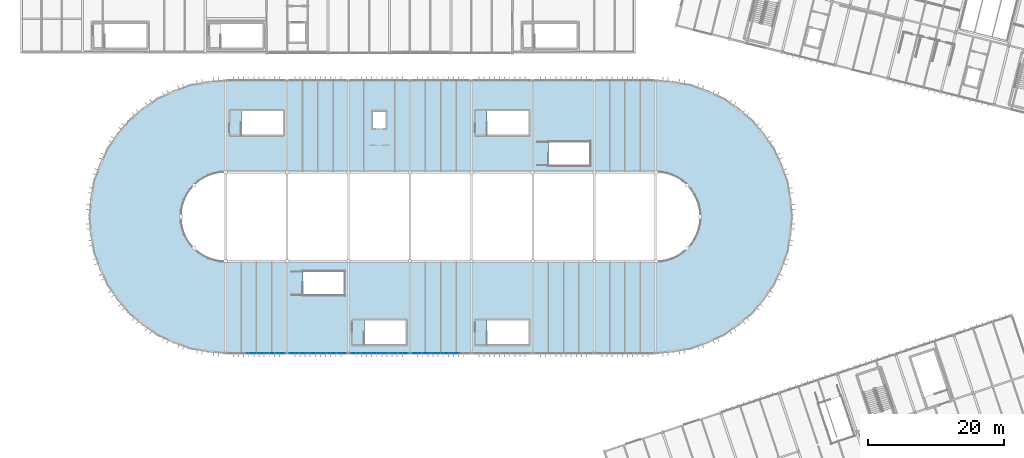
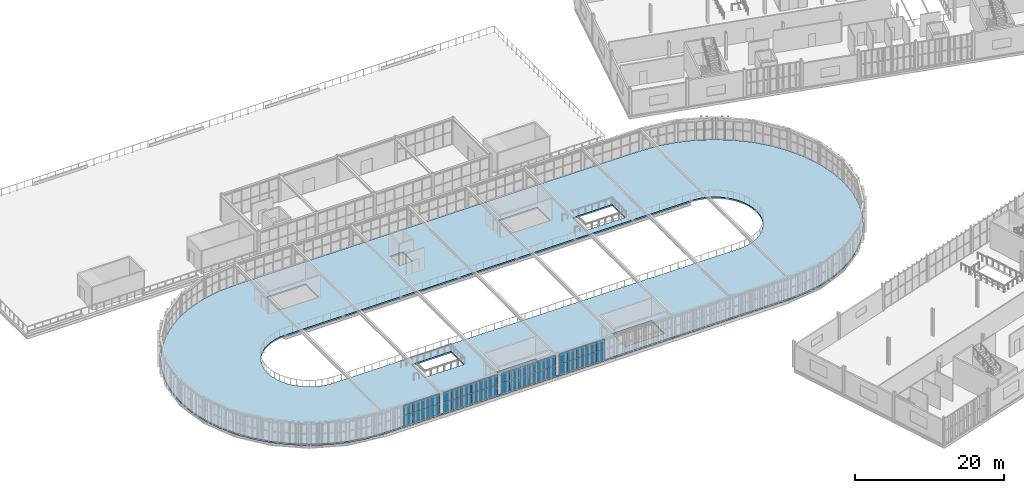
# One storey, part 105 of 152: 42 plates, 1 slab, 4 elements without a shape of their own.
"""IFC4 building model written with IfcOpenShell, lengths in metres."""

from ifc_helpers import new_model, si_unit, derived_unit, direction, frame, origin, origin_2d, place, context, subcontext, project, spatial, polyline, rectangle, outline, extrude, material, layer, layer_set, type_object, element, aggregate, save


model = new_model("IFC4")

# Units and contexts
model_context = context("Model", 3, precision=1e-05, world=origin(), true_north=direction((0.0, 1.0)))
body_context = subcontext(model_context, "Body", "Model", "MODEL_VIEW")
ifc_project = project(units=[si_unit("LENGTHUNIT", "METRE"), si_unit("AREAUNIT", "SQUARE_METRE"), si_unit("VOLUMEUNIT", "CUBIC_METRE"), si_unit("PLANEANGLEUNIT", "RADIAN"), si_unit("MASSUNIT", "GRAM", prefix="KILO"), si_unit("THERMODYNAMICTEMPERATUREUNIT", "KELVIN"), si_unit("TIMEUNIT", "SECOND"), derived_unit("THERMALTRANSMITTANCEUNIT", [(si_unit("MASSUNIT", "GRAM", prefix="KILO"), 1), (si_unit("THERMODYNAMICTEMPERATUREUNIT", "KELVIN"), -1), (si_unit("TIMEUNIT", "SECOND"), -3)])], contexts=[model_context])

# Site, building, storey
site_placement = place(None, origin())
site = spatial("IfcSite", under=ifc_project, at=site_placement, CompositionType="ELEMENT")
building_placement = place(site_placement, origin())
building = spatial("IfcBuilding", under=site, at=building_placement, Name="Cambertide Market Hall", CompositionType="ELEMENT")
storey_placement = place(building_placement, frame((0.0, 0.0, 5.39990234375)))
storey = spatial("IfcBuildingStorey", under=building, at=storey_placement, Name="L02", CompositionType="ELEMENT", Elevation=5.39990234375)

# Slab
ifc_material_1 = material(Name="Concrete B30", Category="concrete")
ifc_layer_1 = layer(ifc_material_1, 0.239990234375, Name="Lantern Hall Mezzanine Composite Slab 240")
ifc_layer_set_1 = layer_set([ifc_layer_1], Name="Concrete B30")
slab_type = type_object("IfcSlabType", Name="Lantern Hall Mezzanine Composite Slab 240", PredefinedType="FLOOR", material=ifc_layer_set_1)
slab_placement = place(storey_placement, frame((0.0, 0.0, -0.239990234375)))
element("IfcSlab", 1, at=slab_placement, inside=storey, type_object=slab_type, Name="Level 2 Slab SLB-L02-V1M", PredefinedType="FLOOR", context=body_context, shape_type="SweptSolid", body=[
    extrude(outline(polyline([(42.0, 92.0), (39.389404296875, 91.828857421875), (36.82373046875, 91.318603515625), (34.346435546875, 90.4775390625), (32.0, 89.320556640625), (29.82470703125, 87.8671875), (27.85791015625, 86.14208984375), (26.1328125, 84.17529296875), (24.679443359375, 82.0), (23.5224609375, 79.653564453125), (22.681396484375, 77.17626953125), (22.171142578125, 74.610595703125), (22.0, 72.0), (22.171142578125, 69.389404296875), (22.681396484375, 66.82373046875), (23.5224609375, 64.346435546875), (24.679443359375, 62.0), (26.1328125, 59.82470703125), (27.85791015625, 57.85791015625), (29.82470703125, 56.1328125), (32.0, 54.679443359375), (34.346435546875, 53.5224609375), (36.82373046875, 52.681396484375), (39.389404296875, 52.171142578125), (42.0, 52.0), (105.0, 52.0), (107.610595703125, 52.171142578125), (110.17626953125, 52.681396484375), (112.653564453125, 53.5224609375), (115.0, 54.679443359375), (117.17529296875, 56.1328125), (119.14208984375, 57.85791015625), (120.8671875, 59.82470703125), (122.320556640625, 62.0), (123.4775390625, 64.346435546875), (124.318603515625, 66.82373046875), (124.828857421875, 69.389404296875), (125.0, 72.0), (124.828857421875, 74.610595703125), (124.318603515625, 77.17626953125), (123.4775390625, 79.653564453125), (122.320556640625, 82.0), (120.8671875, 84.17529296875), (119.14208984375, 86.14208984375), (117.17529296875, 87.8671875), (115.0, 89.320556640625), (112.653564453125, 90.4775390625), (110.17626953125, 91.318603515625), (107.610595703125, 91.828857421875), (105.0, 92.0), (42.0, 92.0)]), holes=[polyline([(44.303955078125, 87.5), (50.39990234375, 87.5), (50.39990234375, 84.0), (44.303955078125, 84.0), (44.303955078125, 87.5)]), polyline([(80.303955078125, 87.5), (86.39990234375, 87.5), (86.39990234375, 84.0), (80.303955078125, 84.0), (80.303955078125, 87.5)]), polyline([(62.303955078125, 56.800048828125), (68.39990234375, 56.800048828125), (68.39990234375, 53.300048828125), (62.303955078125, 53.300048828125), (62.303955078125, 56.800048828125)]), polyline([(80.303955078125, 56.800048828125), (86.39990234375, 56.800048828125), (86.39990234375, 53.300048828125), (80.303955078125, 53.300048828125), (80.303955078125, 56.800048828125)]), polyline([(53.303955078125, 64.0), (59.39990234375, 64.0), (59.39990234375, 60.5), (53.303955078125, 60.5), (53.303955078125, 64.0)]), polyline([(89.303955078125, 83.0), (95.39990234375, 83.0), (95.39990234375, 79.5), (89.303955078125, 79.5), (89.303955078125, 83.0)]), polyline([(63.5, 87.449951171875), (65.5, 87.449951171875), (65.5, 84.949951171875), (63.5, 84.949951171875), (63.5, 87.449951171875)]), polyline([(105.0, 78.5), (105.848388671875, 78.4443359375), (106.682373046875, 78.278564453125), (107.487548828125, 78.005126953125), (108.25, 77.629150390625), (108.95703125, 77.15673828125), (109.59619140625, 76.59619140625), (110.15673828125, 75.95703125), (110.629150390625, 75.25), (111.005126953125, 74.487548828125), (111.278564453125, 73.682373046875), (111.4443359375, 72.848388671875), (111.5, 72.0), (111.4443359375, 71.151611328125), (111.278564453125, 70.317626953125), (111.005126953125, 69.512451171875), (110.629150390625, 68.75), (110.15673828125, 68.04296875), (109.59619140625, 67.40380859375), (108.95703125, 66.84326171875), (108.25, 66.370849609375), (107.487548828125, 65.994873046875), (106.682373046875, 65.721435546875), (105.848388671875, 65.5556640625), (105.0, 65.5), (42.0, 65.5), (41.151611328125, 65.5556640625), (40.317626953125, 65.721435546875), (39.512451171875, 65.994873046875), (38.75, 66.370849609375), (38.04296875, 66.84326171875), (37.40380859375, 67.40380859375), (36.84326171875, 68.04296875), (36.370849609375, 68.75), (35.994873046875, 69.512451171875), (35.721435546875, 70.317626953125), (35.5556640625, 71.151611328125), (35.5, 72.0), (35.5556640625, 72.848388671875), (35.721435546875, 73.682373046875), (35.994873046875, 74.487548828125), (36.370849609375, 75.25), (36.84326171875, 75.95703125), (37.40380859375, 76.59619140625), (38.04296875, 77.15673828125), (38.75, 77.629150390625), (39.512451171875, 78.005126953125), (40.317626953125, 78.278564453125), (41.151611328125, 78.4443359375), (42.0, 78.5), (105.0, 78.5)])]), origin(), (0.0, 0.0, 1.0), 0.239990234375),
])

# Curtain wall, plates
ifc_material_2 = material(Name="Marine Anodized Aluminium 6063-T6 AA25", Category="aluminium")
curtain_wall_type = type_object("IfcCurtainWallType", Name="Lantern Straight Upper Curtain Wall", PredefinedType="USERDEFINED", material=ifc_material_2)
curtain_wall_1_placement = place(storey_placement, origin())
curtain_wall_1 = element("IfcCurtainWall", 2, at=curtain_wall_1_placement, inside=storey, type_object=curtain_wall_type, Name="Level 2 Curtain Wall CW-V1S-L02-1", ObjectType="UNITIZED CURTAIN WALL", PredefinedType="USERDEFINED")
ifc_material_3 = material(Name="Low-E Laminated Insulated Glass", Category="glass")
ifc_layer_2 = layer(ifc_material_3, 0.028076171875, Name="Vision Insulated Glazing Panel 28")
ifc_layer_set_2 = layer_set([ifc_layer_2], Name="Low-E Laminated Insulated Glass")
plate_type = type_object("IfcPlateType", Name="Vision Insulated Glazing Panel 28", PredefinedType="CURTAIN_PANEL", material=ifc_layer_set_2)
plate_1_placement = place(storey_placement, frame((50.041748046875, 52.0, 0.0400390625), z_axis=(0.0, 0.0, 1.0), x_axis=(-1.0, 0.0, 0.0)))
plate_1 = element("IfcPlate", 3, at=plate_1_placement, type_object=plate_type, Name="CW-V1S-L02-1 Glazing Panel 1-1", PredefinedType="CURTAIN_PANEL", context=body_context, shape_type="SweptSolid", body=[
    extrude(rectangle(XDim=1.336669921875, YDim=0.028076171875, at=origin_2d()), origin(), (0.0, 0.0, 1.0), 1.64501953125),
])
plate_2_placement = place(storey_placement, frame((48.625, 52.0, 0.0400390625), z_axis=(0.0, 0.0, 1.0), x_axis=(-1.0, 0.0, 0.0)))
plate_2 = element("IfcPlate", 4, at=plate_2_placement, type_object=plate_type, Name="CW-V1S-L02-1 Glazing Panel 1-2", PredefinedType="CURTAIN_PANEL", context=body_context, shape_type="SweptSolid", body=[
    extrude(rectangle(XDim=1.336669921875, YDim=0.028076171875, at=origin_2d()), origin(), (0.0, 0.0, 1.0), 1.64501953125),
])
plate_3_placement = place(storey_placement, frame((47.208251953125, 52.0, 0.0400390625), z_axis=(0.0, 0.0, 1.0), x_axis=(-1.0, 0.0, 0.0)))
plate_3 = element("IfcPlate", 5, at=plate_3_placement, type_object=plate_type, Name="CW-V1S-L02-1 Glazing Panel 1-3", PredefinedType="CURTAIN_PANEL", context=body_context, shape_type="SweptSolid", body=[
    extrude(rectangle(XDim=1.336669921875, YDim=0.028076171875, at=origin_2d()), origin(), (0.0, 0.0, 1.0), 1.64501953125),
])
plate_4_placement = place(storey_placement, frame((45.791748046875, 52.0, 0.0400390625), z_axis=(0.0, 0.0, 1.0), x_axis=(-1.0, 0.0, 0.0)))
plate_4 = element("IfcPlate", 6, at=plate_4_placement, type_object=plate_type, Name="CW-V1S-L02-1 Glazing Panel 1-4", PredefinedType="CURTAIN_PANEL", context=body_context, shape_type="SweptSolid", body=[
    extrude(rectangle(XDim=1.336669921875, YDim=0.028076171875, at=origin_2d()), origin(), (0.0, 0.0, 1.0), 1.64501953125),
])
plate_5_placement = place(storey_placement, frame((50.041748046875, 52.0, 1.76513671875), z_axis=(0.0, 0.0, 1.0), x_axis=(-1.0, 0.0, 0.0)))
plate_5 = element("IfcPlate", 7, at=plate_5_placement, type_object=plate_type, Name="CW-V1S-L02-1 Glazing Panel 2-1", PredefinedType="CURTAIN_PANEL", context=body_context, shape_type="SweptSolid", body=[
    extrude(rectangle(XDim=1.336669921875, YDim=0.028076171875, at=origin_2d()), origin(), (0.0, 0.0, 1.0), 1.64501953125),
])
plate_6_placement = place(storey_placement, frame((48.625, 52.0, 1.76513671875), z_axis=(0.0, 0.0, 1.0), x_axis=(-1.0, 0.0, 0.0)))
plate_6 = element("IfcPlate", 8, at=plate_6_placement, type_object=plate_type, Name="CW-V1S-L02-1 Glazing Panel 2-2", PredefinedType="CURTAIN_PANEL", context=body_context, shape_type="SweptSolid", body=[
    extrude(rectangle(XDim=1.336669921875, YDim=0.028076171875, at=origin_2d()), origin(), (0.0, 0.0, 1.0), 1.64501953125),
])
plate_7_placement = place(storey_placement, frame((47.208251953125, 52.0, 1.76513671875), z_axis=(0.0, 0.0, 1.0), x_axis=(-1.0, 0.0, 0.0)))
plate_7 = element("IfcPlate", 9, at=plate_7_placement, type_object=plate_type, Name="CW-V1S-L02-1 Glazing Panel 2-3", PredefinedType="CURTAIN_PANEL", context=body_context, shape_type="SweptSolid", body=[
    extrude(rectangle(XDim=1.336669921875, YDim=0.028076171875, at=origin_2d()), origin(), (0.0, 0.0, 1.0), 1.64501953125),
])
plate_8_placement = place(storey_placement, frame((45.791748046875, 52.0, 1.76513671875), z_axis=(0.0, 0.0, 1.0), x_axis=(-1.0, 0.0, 0.0)))
plate_8 = element("IfcPlate", 10, at=plate_8_placement, type_object=plate_type, Name="CW-V1S-L02-1 Glazing Panel 2-4", PredefinedType="CURTAIN_PANEL", context=body_context, shape_type="SweptSolid", body=[
    extrude(rectangle(XDim=1.336669921875, YDim=0.028076171875, at=origin_2d()), origin(), (0.0, 0.0, 1.0), 1.64501953125),
])
aggregate(curtain_wall_1, [plate_1, plate_2, plate_3, plate_4, plate_5, plate_6, plate_7, plate_8])

curtain_wall_2_placement = place(storey_placement, origin())
curtain_wall_2 = element("IfcCurtainWall", 11, at=curtain_wall_2_placement, inside=storey, type_object=curtain_wall_type, Name="Level 2 Curtain Wall CW-V1S-L02-2", ObjectType="UNITIZED CURTAIN WALL", PredefinedType="USERDEFINED")
plate_9_placement = place(storey_placement, frame((59.041748046875, 52.0, 0.0400390625), z_axis=(0.0, 0.0, 1.0), x_axis=(-1.0, 0.0, 0.0)))
plate_9 = element("IfcPlate", 12, at=plate_9_placement, type_object=plate_type, Name="CW-V1S-L02-2 Glazing Panel 1-1", PredefinedType="CURTAIN_PANEL", context=body_context, shape_type="SweptSolid", body=[
    extrude(rectangle(XDim=1.336669921875, YDim=0.028076171875, at=origin_2d()), origin(), (0.0, 0.0, 1.0), 1.64501953125),
])
plate_10_placement = place(storey_placement, frame((57.625, 52.0, 0.0400390625), z_axis=(0.0, 0.0, 1.0), x_axis=(-1.0, 0.0, 0.0)))
plate_10 = element("IfcPlate", 13, at=plate_10_placement, type_object=plate_type, Name="CW-V1S-L02-2 Glazing Panel 1-2", PredefinedType="CURTAIN_PANEL", context=body_context, shape_type="SweptSolid", body=[
    extrude(rectangle(XDim=1.336669921875, YDim=0.028076171875, at=origin_2d()), origin(), (0.0, 0.0, 1.0), 1.64501953125),
])
plate_11_placement = place(storey_placement, frame((56.208251953125, 52.0, 0.0400390625), z_axis=(0.0, 0.0, 1.0), x_axis=(-1.0, 0.0, 0.0)))
plate_11 = element("IfcPlate", 14, at=plate_11_placement, type_object=plate_type, Name="CW-V1S-L02-2 Glazing Panel 1-3", PredefinedType="CURTAIN_PANEL", context=body_context, shape_type="SweptSolid", body=[
    extrude(rectangle(XDim=1.336669921875, YDim=0.028076171875, at=origin_2d()), origin(), (0.0, 0.0, 1.0), 1.64501953125),
])
plate_12_placement = place(storey_placement, frame((54.791748046875, 52.0, 0.0400390625), z_axis=(0.0, 0.0, 1.0), x_axis=(-1.0, 0.0, 0.0)))
plate_12 = element("IfcPlate", 15, at=plate_12_placement, type_object=plate_type, Name="CW-V1S-L02-2 Glazing Panel 1-4", PredefinedType="CURTAIN_PANEL", context=body_context, shape_type="SweptSolid", body=[
    extrude(rectangle(XDim=1.336669921875, YDim=0.028076171875, at=origin_2d()), origin(), (0.0, 0.0, 1.0), 1.64501953125),
])
plate_13_placement = place(storey_placement, frame((53.375, 52.0, 0.0400390625), z_axis=(0.0, 0.0, 1.0), x_axis=(-1.0, 0.0, 0.0)))
plate_13 = element("IfcPlate", 16, at=plate_13_placement, type_object=plate_type, Name="CW-V1S-L02-2 Glazing Panel 1-5", PredefinedType="CURTAIN_PANEL", context=body_context, shape_type="SweptSolid", body=[
    extrude(rectangle(XDim=1.336669921875, YDim=0.028076171875, at=origin_2d()), origin(), (0.0, 0.0, 1.0), 1.64501953125),
])
plate_14_placement = place(storey_placement, frame((51.958251953125, 52.0, 0.0400390625), z_axis=(0.0, 0.0, 1.0), x_axis=(-1.0, 0.0, 0.0)))
plate_14 = element("IfcPlate", 17, at=plate_14_placement, type_object=plate_type, Name="CW-V1S-L02-2 Glazing Panel 1-6", PredefinedType="CURTAIN_PANEL", context=body_context, shape_type="SweptSolid", body=[
    extrude(rectangle(XDim=1.336669921875, YDim=0.028076171875, at=origin_2d()), origin(), (0.0, 0.0, 1.0), 1.64501953125),
])
plate_15_placement = place(storey_placement, frame((59.041748046875, 52.0, 1.76513671875), z_axis=(0.0, 0.0, 1.0), x_axis=(-1.0, 0.0, 0.0)))
plate_15 = element("IfcPlate", 18, at=plate_15_placement, type_object=plate_type, Name="CW-V1S-L02-2 Glazing Panel 2-1", PredefinedType="CURTAIN_PANEL", context=body_context, shape_type="SweptSolid", body=[
    extrude(rectangle(XDim=1.336669921875, YDim=0.028076171875, at=origin_2d()), origin(), (0.0, 0.0, 1.0), 1.64501953125),
])
plate_16_placement = place(storey_placement, frame((57.625, 52.0, 1.76513671875), z_axis=(0.0, 0.0, 1.0), x_axis=(-1.0, 0.0, 0.0)))
plate_16 = element("IfcPlate", 19, at=plate_16_placement, type_object=plate_type, Name="CW-V1S-L02-2 Glazing Panel 2-2", PredefinedType="CURTAIN_PANEL", context=body_context, shape_type="SweptSolid", body=[
    extrude(rectangle(XDim=1.336669921875, YDim=0.028076171875, at=origin_2d()), origin(), (0.0, 0.0, 1.0), 1.64501953125),
])
plate_17_placement = place(storey_placement, frame((56.208251953125, 52.0, 1.76513671875), z_axis=(0.0, 0.0, 1.0), x_axis=(-1.0, 0.0, 0.0)))
plate_17 = element("IfcPlate", 20, at=plate_17_placement, type_object=plate_type, Name="CW-V1S-L02-2 Glazing Panel 2-3", PredefinedType="CURTAIN_PANEL", context=body_context, shape_type="SweptSolid", body=[
    extrude(rectangle(XDim=1.336669921875, YDim=0.028076171875, at=origin_2d()), origin(), (0.0, 0.0, 1.0), 1.64501953125),
])
plate_18_placement = place(storey_placement, frame((54.791748046875, 52.0, 1.76513671875), z_axis=(0.0, 0.0, 1.0), x_axis=(-1.0, 0.0, 0.0)))
plate_18 = element("IfcPlate", 21, at=plate_18_placement, type_object=plate_type, Name="CW-V1S-L02-2 Glazing Panel 2-4", PredefinedType="CURTAIN_PANEL", context=body_context, shape_type="SweptSolid", body=[
    extrude(rectangle(XDim=1.336669921875, YDim=0.028076171875, at=origin_2d()), origin(), (0.0, 0.0, 1.0), 1.64501953125),
])
plate_19_placement = place(storey_placement, frame((53.375, 52.0, 1.76513671875), z_axis=(0.0, 0.0, 1.0), x_axis=(-1.0, 0.0, 0.0)))
plate_19 = element("IfcPlate", 22, at=plate_19_placement, type_object=plate_type, Name="CW-V1S-L02-2 Glazing Panel 2-5", PredefinedType="CURTAIN_PANEL", context=body_context, shape_type="SweptSolid", body=[
    extrude(rectangle(XDim=1.336669921875, YDim=0.028076171875, at=origin_2d()), origin(), (0.0, 0.0, 1.0), 1.64501953125),
])
plate_20_placement = place(storey_placement, frame((51.958251953125, 52.0, 1.76513671875), z_axis=(0.0, 0.0, 1.0), x_axis=(-1.0, 0.0, 0.0)))
plate_20 = element("IfcPlate", 23, at=plate_20_placement, type_object=plate_type, Name="CW-V1S-L02-2 Glazing Panel 2-6", PredefinedType="CURTAIN_PANEL", context=body_context, shape_type="SweptSolid", body=[
    extrude(rectangle(XDim=1.336669921875, YDim=0.028076171875, at=origin_2d()), origin(), (0.0, 0.0, 1.0), 1.64501953125),
])
aggregate(curtain_wall_2, [plate_9, plate_10, plate_11, plate_12, plate_13, plate_14, plate_15, plate_16, plate_17, plate_18, plate_19, plate_20])

curtain_wall_3_placement = place(storey_placement, origin())
curtain_wall_3 = element("IfcCurtainWall", 24, at=curtain_wall_3_placement, inside=storey, type_object=curtain_wall_type, Name="Level 2 Curtain Wall CW-V1S-L02-3", ObjectType="UNITIZED CURTAIN WALL", PredefinedType="USERDEFINED")
plate_21_placement = place(storey_placement, frame((68.041748046875, 52.0, 0.0400390625), z_axis=(0.0, 0.0, 1.0), x_axis=(-1.0, 0.0, 0.0)))
plate_21 = element("IfcPlate", 25, at=plate_21_placement, type_object=plate_type, Name="CW-V1S-L02-3 Glazing Panel 1-1", PredefinedType="CURTAIN_PANEL", context=body_context, shape_type="SweptSolid", body=[
    extrude(rectangle(XDim=1.336669921875, YDim=0.028076171875, at=origin_2d()), origin(), (0.0, 0.0, 1.0), 1.64501953125),
])
plate_22_placement = place(storey_placement, frame((66.625, 52.0, 0.0400390625), z_axis=(0.0, 0.0, 1.0), x_axis=(-1.0, 0.0, 0.0)))
plate_22 = element("IfcPlate", 26, at=plate_22_placement, type_object=plate_type, Name="CW-V1S-L02-3 Glazing Panel 1-2", PredefinedType="CURTAIN_PANEL", context=body_context, shape_type="SweptSolid", body=[
    extrude(rectangle(XDim=1.336669921875, YDim=0.028076171875, at=origin_2d()), origin(), (0.0, 0.0, 1.0), 1.64501953125),
])
plate_23_placement = place(storey_placement, frame((65.208251953125, 52.0, 0.0400390625), z_axis=(0.0, 0.0, 1.0), x_axis=(-1.0, 0.0, 0.0)))
plate_23 = element("IfcPlate", 27, at=plate_23_placement, type_object=plate_type, Name="CW-V1S-L02-3 Glazing Panel 1-3", PredefinedType="CURTAIN_PANEL", context=body_context, shape_type="SweptSolid", body=[
    extrude(rectangle(XDim=1.336669921875, YDim=0.028076171875, at=origin_2d()), origin(), (0.0, 0.0, 1.0), 1.64501953125),
])
plate_24_placement = place(storey_placement, frame((63.791748046875, 52.0, 0.0400390625), z_axis=(0.0, 0.0, 1.0), x_axis=(-1.0, 0.0, 0.0)))
plate_24 = element("IfcPlate", 28, at=plate_24_placement, type_object=plate_type, Name="CW-V1S-L02-3 Glazing Panel 1-4", PredefinedType="CURTAIN_PANEL", context=body_context, shape_type="SweptSolid", body=[
    extrude(rectangle(XDim=1.336669921875, YDim=0.028076171875, at=origin_2d()), origin(), (0.0, 0.0, 1.0), 1.64501953125),
])
plate_25_placement = place(storey_placement, frame((62.375, 52.0, 0.0400390625), z_axis=(0.0, 0.0, 1.0), x_axis=(-1.0, 0.0, 0.0)))
plate_25 = element("IfcPlate", 29, at=plate_25_placement, type_object=plate_type, Name="CW-V1S-L02-3 Glazing Panel 1-5", PredefinedType="CURTAIN_PANEL", context=body_context, shape_type="SweptSolid", body=[
    extrude(rectangle(XDim=1.336669921875, YDim=0.028076171875, at=origin_2d()), origin(), (0.0, 0.0, 1.0), 1.64501953125),
])
plate_26_placement = place(storey_placement, frame((60.958251953125, 52.0, 0.0400390625), z_axis=(0.0, 0.0, 1.0), x_axis=(-1.0, 0.0, 0.0)))
plate_26 = element("IfcPlate", 30, at=plate_26_placement, type_object=plate_type, Name="CW-V1S-L02-3 Glazing Panel 1-6", PredefinedType="CURTAIN_PANEL", context=body_context, shape_type="SweptSolid", body=[
    extrude(rectangle(XDim=1.336669921875, YDim=0.028076171875, at=origin_2d()), origin(), (0.0, 0.0, 1.0), 1.64501953125),
])
plate_27_placement = place(storey_placement, frame((68.041748046875, 52.0, 1.76513671875), z_axis=(0.0, 0.0, 1.0), x_axis=(-1.0, 0.0, 0.0)))
plate_27 = element("IfcPlate", 31, at=plate_27_placement, type_object=plate_type, Name="CW-V1S-L02-3 Glazing Panel 2-1", PredefinedType="CURTAIN_PANEL", context=body_context, shape_type="SweptSolid", body=[
    extrude(rectangle(XDim=1.336669921875, YDim=0.028076171875, at=origin_2d()), origin(), (0.0, 0.0, 1.0), 1.64501953125),
])
plate_28_placement = place(storey_placement, frame((66.625, 52.0, 1.76513671875), z_axis=(0.0, 0.0, 1.0), x_axis=(-1.0, 0.0, 0.0)))
plate_28 = element("IfcPlate", 32, at=plate_28_placement, type_object=plate_type, Name="CW-V1S-L02-3 Glazing Panel 2-2", PredefinedType="CURTAIN_PANEL", context=body_context, shape_type="SweptSolid", body=[
    extrude(rectangle(XDim=1.336669921875, YDim=0.028076171875, at=origin_2d()), origin(), (0.0, 0.0, 1.0), 1.64501953125),
])
plate_29_placement = place(storey_placement, frame((65.208251953125, 52.0, 1.76513671875), z_axis=(0.0, 0.0, 1.0), x_axis=(-1.0, 0.0, 0.0)))
plate_29 = element("IfcPlate", 33, at=plate_29_placement, type_object=plate_type, Name="CW-V1S-L02-3 Glazing Panel 2-3", PredefinedType="CURTAIN_PANEL", context=body_context, shape_type="SweptSolid", body=[
    extrude(rectangle(XDim=1.336669921875, YDim=0.028076171875, at=origin_2d()), origin(), (0.0, 0.0, 1.0), 1.64501953125),
])
plate_30_placement = place(storey_placement, frame((63.791748046875, 52.0, 1.76513671875), z_axis=(0.0, 0.0, 1.0), x_axis=(-1.0, 0.0, 0.0)))
plate_30 = element("IfcPlate", 34, at=plate_30_placement, type_object=plate_type, Name="CW-V1S-L02-3 Glazing Panel 2-4", PredefinedType="CURTAIN_PANEL", context=body_context, shape_type="SweptSolid", body=[
    extrude(rectangle(XDim=1.336669921875, YDim=0.028076171875, at=origin_2d()), origin(), (0.0, 0.0, 1.0), 1.64501953125),
])
plate_31_placement = place(storey_placement, frame((62.375, 52.0, 1.76513671875), z_axis=(0.0, 0.0, 1.0), x_axis=(-1.0, 0.0, 0.0)))
plate_31 = element("IfcPlate", 35, at=plate_31_placement, type_object=plate_type, Name="CW-V1S-L02-3 Glazing Panel 2-5", PredefinedType="CURTAIN_PANEL", context=body_context, shape_type="SweptSolid", body=[
    extrude(rectangle(XDim=1.336669921875, YDim=0.028076171875, at=origin_2d()), origin(), (0.0, 0.0, 1.0), 1.64501953125),
])
plate_32_placement = place(storey_placement, frame((60.958251953125, 52.0, 1.76513671875), z_axis=(0.0, 0.0, 1.0), x_axis=(-1.0, 0.0, 0.0)))
plate_32 = element("IfcPlate", 36, at=plate_32_placement, type_object=plate_type, Name="CW-V1S-L02-3 Glazing Panel 2-6", PredefinedType="CURTAIN_PANEL", context=body_context, shape_type="SweptSolid", body=[
    extrude(rectangle(XDim=1.336669921875, YDim=0.028076171875, at=origin_2d()), origin(), (0.0, 0.0, 1.0), 1.64501953125),
])
aggregate(curtain_wall_3, [plate_21, plate_22, plate_23, plate_24, plate_25, plate_26, plate_27, plate_28, plate_29, plate_30, plate_31, plate_32])

curtain_wall_4_placement = place(storey_placement, origin())
curtain_wall_4 = element("IfcCurtainWall", 37, at=curtain_wall_4_placement, inside=storey, type_object=curtain_wall_type, Name="Level 2 Curtain Wall CW-V1S-L02-4", ObjectType="UNITIZED CURTAIN WALL", PredefinedType="USERDEFINED")
plate_33_placement = place(storey_placement, frame((75.625, 52.0, 0.0400390625), z_axis=(0.0, 0.0, 1.0), x_axis=(-1.0, 0.0, 0.0)))
plate_33 = element("IfcPlate", 38, at=plate_33_placement, type_object=plate_type, Name="CW-V1S-L02-4 Glazing Panel 1-2", PredefinedType="CURTAIN_PANEL", context=body_context, shape_type="SweptSolid", body=[
    extrude(rectangle(XDim=1.336669921875, YDim=0.028076171875, at=origin_2d()), origin(), (0.0, 0.0, 1.0), 1.64501953125),
])
plate_34_placement = place(storey_placement, frame((74.208251953125, 52.0, 0.0400390625), z_axis=(0.0, 0.0, 1.0), x_axis=(-1.0, 0.0, 0.0)))
plate_34 = element("IfcPlate", 39, at=plate_34_placement, type_object=plate_type, Name="CW-V1S-L02-4 Glazing Panel 1-3", PredefinedType="CURTAIN_PANEL", context=body_context, shape_type="SweptSolid", body=[
    extrude(rectangle(XDim=1.336669921875, YDim=0.028076171875, at=origin_2d()), origin(), (0.0, 0.0, 1.0), 1.64501953125),
])
plate_35_placement = place(storey_placement, frame((72.791748046875, 52.0, 0.0400390625), z_axis=(0.0, 0.0, 1.0), x_axis=(-1.0, 0.0, 0.0)))
plate_35 = element("IfcPlate", 40, at=plate_35_placement, type_object=plate_type, Name="CW-V1S-L02-4 Glazing Panel 1-4", PredefinedType="CURTAIN_PANEL", context=body_context, shape_type="SweptSolid", body=[
    extrude(rectangle(XDim=1.336669921875, YDim=0.028076171875, at=origin_2d()), origin(), (0.0, 0.0, 1.0), 1.64501953125),
])
plate_36_placement = place(storey_placement, frame((71.375, 52.0, 0.0400390625), z_axis=(0.0, 0.0, 1.0), x_axis=(-1.0, 0.0, 0.0)))
plate_36 = element("IfcPlate", 41, at=plate_36_placement, type_object=plate_type, Name="CW-V1S-L02-4 Glazing Panel 1-5", PredefinedType="CURTAIN_PANEL", context=body_context, shape_type="SweptSolid", body=[
    extrude(rectangle(XDim=1.336669921875, YDim=0.028076171875, at=origin_2d()), origin(), (0.0, 0.0, 1.0), 1.64501953125),
])
plate_37_placement = place(storey_placement, frame((69.958251953125, 52.0, 0.0400390625), z_axis=(0.0, 0.0, 1.0), x_axis=(-1.0, 0.0, 0.0)))
plate_37 = element("IfcPlate", 42, at=plate_37_placement, type_object=plate_type, Name="CW-V1S-L02-4 Glazing Panel 1-6", PredefinedType="CURTAIN_PANEL", context=body_context, shape_type="SweptSolid", body=[
    extrude(rectangle(XDim=1.336669921875, YDim=0.028076171875, at=origin_2d()), origin(), (0.0, 0.0, 1.0), 1.64501953125),
])
plate_38_placement = place(storey_placement, frame((75.625, 52.0, 1.76513671875), z_axis=(0.0, 0.0, 1.0), x_axis=(-1.0, 0.0, 0.0)))
plate_38 = element("IfcPlate", 43, at=plate_38_placement, type_object=plate_type, Name="CW-V1S-L02-4 Glazing Panel 2-2", PredefinedType="CURTAIN_PANEL", context=body_context, shape_type="SweptSolid", body=[
    extrude(rectangle(XDim=1.336669921875, YDim=0.028076171875, at=origin_2d()), origin(), (0.0, 0.0, 1.0), 1.64501953125),
])
plate_39_placement = place(storey_placement, frame((74.208251953125, 52.0, 1.76513671875), z_axis=(0.0, 0.0, 1.0), x_axis=(-1.0, 0.0, 0.0)))
plate_39 = element("IfcPlate", 44, at=plate_39_placement, type_object=plate_type, Name="CW-V1S-L02-4 Glazing Panel 2-3", PredefinedType="CURTAIN_PANEL", context=body_context, shape_type="SweptSolid", body=[
    extrude(rectangle(XDim=1.336669921875, YDim=0.028076171875, at=origin_2d()), origin(), (0.0, 0.0, 1.0), 1.64501953125),
])
plate_40_placement = place(storey_placement, frame((72.791748046875, 52.0, 1.76513671875), z_axis=(0.0, 0.0, 1.0), x_axis=(-1.0, 0.0, 0.0)))
plate_40 = element("IfcPlate", 45, at=plate_40_placement, type_object=plate_type, Name="CW-V1S-L02-4 Glazing Panel 2-4", PredefinedType="CURTAIN_PANEL", context=body_context, shape_type="SweptSolid", body=[
    extrude(rectangle(XDim=1.336669921875, YDim=0.028076171875, at=origin_2d()), origin(), (0.0, 0.0, 1.0), 1.64501953125),
])
plate_41_placement = place(storey_placement, frame((71.375, 52.0, 1.76513671875), z_axis=(0.0, 0.0, 1.0), x_axis=(-1.0, 0.0, 0.0)))
plate_41 = element("IfcPlate", 46, at=plate_41_placement, type_object=plate_type, Name="CW-V1S-L02-4 Glazing Panel 2-5", PredefinedType="CURTAIN_PANEL", context=body_context, shape_type="SweptSolid", body=[
    extrude(rectangle(XDim=1.336669921875, YDim=0.028076171875, at=origin_2d()), origin(), (0.0, 0.0, 1.0), 1.64501953125),
])
plate_42_placement = place(storey_placement, frame((69.958251953125, 52.0, 1.76513671875), z_axis=(0.0, 0.0, 1.0), x_axis=(-1.0, 0.0, 0.0)))
plate_42 = element("IfcPlate", 47, at=plate_42_placement, type_object=plate_type, Name="CW-V1S-L02-4 Glazing Panel 2-6", PredefinedType="CURTAIN_PANEL", context=body_context, shape_type="SweptSolid", body=[
    extrude(rectangle(XDim=1.336669921875, YDim=0.028076171875, at=origin_2d()), origin(), (0.0, 0.0, 1.0), 1.64501953125),
])
aggregate(curtain_wall_4, [plate_33, plate_34, plate_35, plate_36, plate_37, plate_38, plate_39, plate_40, plate_41, plate_42])

save(model, "model.ifc")
